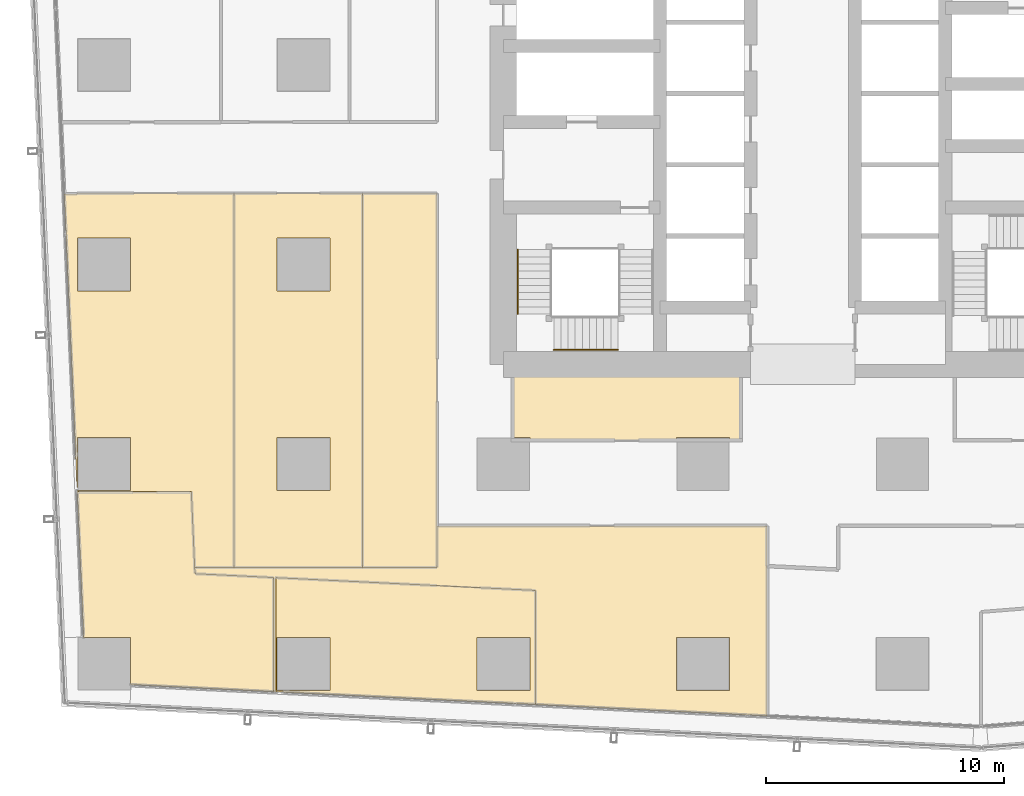
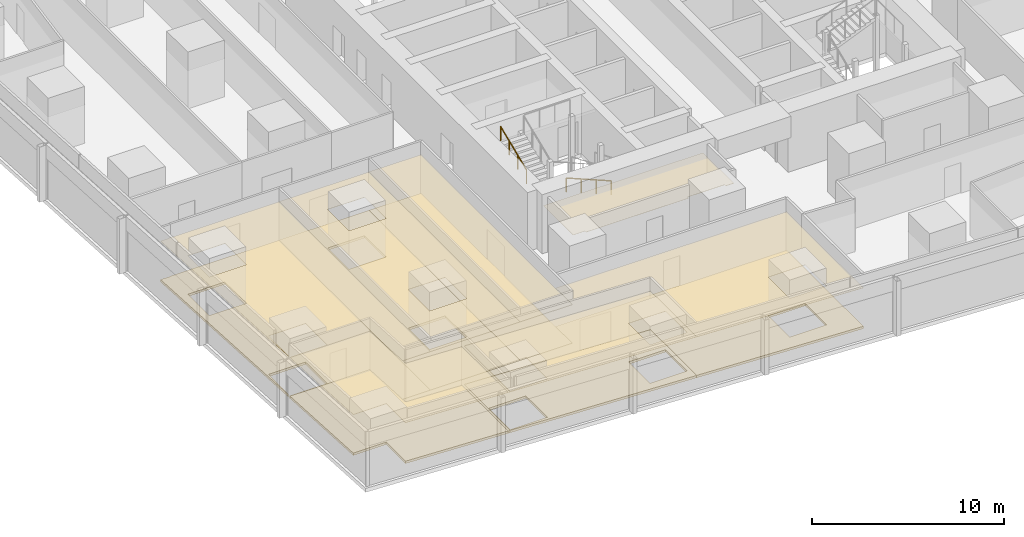
# One storey, part 36 of 44: 13 coverings, 2 railings.
"""IFC4 building model written with IfcOpenShell, lengths in metres."""

import ifcopenshell
import ifcopenshell.guid

model = None  # the IFC model being written
_history = None  # IfcOwnerHistory: only IFC2X3 demands one
_inside = {}  # id of a spatial element -> (the spatial element, [elements in it])
_under = {}  # id of a project, library or spatial element -> (it, [spatial elements below it])
_declared = {}  # id of a project -> (the project, [libraries it declares])
_typed = {}  # id of a type object -> (the type object, [elements of that type])
_made_of = {}  # id of a material, layer set ... -> (it, [elements and type objects made of it])


def new_model(schema):
    """Start an empty IFC model of exactly this schema.

    Asked for "IFC4X3", IfcOpenShell would pick the latest addendum, in which some entities
    have other attributes; the version numbers below select the first issue.
    IFC2X3 requires an IfcOwnerHistory on every rooted entity: one is made here for all.
    """
    global model, _history
    if schema == "IFC4X3":
        model = ifcopenshell.file(schema_version=(4, 3, 0, 0))
    else:
        model = ifcopenshell.file(schema=schema)
    _inside.clear()
    _under.clear()
    _declared.clear()
    _typed.clear()
    _made_of.clear()
    _history = None
    if model.schema == "IFC2X3":
        org = make("IfcOrganization", Name="unknown")
        user = make(
            "IfcPersonAndOrganization",
            ThePerson=make("IfcPerson", FamilyName="unknown"),
            TheOrganization=org,
        )
        app = make(
            "IfcApplication",
            ApplicationDeveloper=org,
            Version="unknown",
            ApplicationFullName="unknown",
            ApplicationIdentifier="unknown",
        )
        _history = make(
            "IfcOwnerHistory",
            OwningUser=user,
            OwningApplication=app,
            ChangeAction="ADDED",
            CreationDate=0,
        )
    return model


def make(cls, **values):
    """One entity of the class cls with the attributes given. An attribute that is None is left unset."""
    return model.create_entity(
        cls, **{name: value for name, value in values.items() if value is not None}
    )


def rooted(cls, **values):
    """An entity with a GlobalId (a new one), such as an element, a storey or a relation."""
    return make(cls, GlobalId=ifcopenshell.guid.new(), OwnerHistory=_history, **values)


def si_unit(unit_type, name, prefix=None):
    """IfcSIUnit, for example si_unit("LENGTHUNIT", "METRE", prefix="MILLI")."""
    return make("IfcSIUnit", UnitType=unit_type, Prefix=prefix, Name=name)


def assignment(units):
    """IfcUnitAssignment: the units of a project."""
    return None if units is None else make("IfcUnitAssignment", Units=units)


def point(xyz):
    """IfcCartesianPoint."""
    return None if xyz is None else make("IfcCartesianPoint", Coordinates=xyz)


def direction(xyz):
    """IfcDirection."""
    return None if xyz is None else make("IfcDirection", DirectionRatios=xyz)


def frame(location, z_axis=None, x_axis=None):
    """IfcAxis2Placement3D, a coordinate frame: its origin and axes. An axis left out is left unset."""
    return make(
        "IfcAxis2Placement3D",
        Location=point(location),
        Axis=direction(z_axis),
        RefDirection=direction(x_axis),
    )


def frame_2d(location, x_axis=None):
    """IfcAxis2Placement2D, a coordinate frame in the plane: its origin and x axis."""
    return make(
        "IfcAxis2Placement2D", Location=point(location), RefDirection=direction(x_axis)
    )


def origin():
    """The frame at (0, 0, 0) with its axes left unset."""
    return frame((0.0, 0.0, 0.0))


def origin_2d():
    """The frame at (0, 0) in the plane with its x axis left unset."""
    return frame_2d((0.0, 0.0))


def place(relative_to, where):
    """IfcLocalPlacement: puts the frame where relative to a parent placement (None: the world)."""
    return make(
        "IfcLocalPlacement", PlacementRelTo=relative_to, RelativePlacement=where
    )


def context(
    kind, dimensions, precision=None, world=None, true_north=None, identifier=None
):
    """IfcGeometricRepresentationContext, for example the 3D "Model" context."""
    return make(
        "IfcGeometricRepresentationContext",
        ContextIdentifier=identifier,
        ContextType=kind,
        CoordinateSpaceDimension=dimensions,
        Precision=precision,
        WorldCoordinateSystem=world,
        TrueNorth=true_north,
    )


def subcontext(parent, identifier, kind, view, scale=None):
    """IfcGeometricRepresentationSubContext, for example "Body" below "Model"."""
    return make(
        "IfcGeometricRepresentationSubContext",
        ContextIdentifier=identifier,
        ContextType=kind,
        ParentContext=parent,
        TargetScale=scale,
        TargetView=view,
    )


def project(units=None, contexts=None):
    """IfcProject with its units and contexts."""
    return rooted(
        "IfcProject",
        Name="project",
        RepresentationContexts=contexts,
        UnitsInContext=assignment(units),
    )


def spatial(cls, under=None, at=None, **own):
    """A site, building, storey or space (cls), placed at a placement, below another one or the project."""
    s = rooted(cls, ObjectPlacement=at, **own)
    if under is not None:
        _under.setdefault(under.id(), (under, []))[1].append(s)
    return s


def polyline(points):
    """IfcPolyline through the points."""
    return make("IfcPolyline", Points=[point(p) for p in points])


def profile(cls, at=None, kind="AREA", **sizes):
    """A parametric profile (cls). Its sizes go by their IFC names, for example OverallWidth=200.0."""
    return make(cls, ProfileType=kind, Position=at, **sizes)


def circle(**sizes):
    """IfcCircleProfileDef."""
    return profile("IfcCircleProfileDef", **sizes)


def outline(outer, holes=None, kind="AREA"):
    """IfcArbitraryClosedProfileDef: a profile drawn as a closed curve; with holes, ...WithVoids."""
    if holes is None:
        return make("IfcArbitraryClosedProfileDef", ProfileType=kind, OuterCurve=outer)
    return make(
        "IfcArbitraryProfileDefWithVoids",
        ProfileType=kind,
        OuterCurve=outer,
        InnerCurves=holes,
    )


def extrude(swept, where, along, depth):
    """IfcExtrudedAreaSolid: the profile swept, set in the frame where, extruded along a direction by depth."""
    return make(
        "IfcExtrudedAreaSolid",
        SweptArea=swept,
        Position=where,
        ExtrudedDirection=direction(along),
        Depth=depth,
    )


def shape(context_of_items, identifier, shape_type, items):
    """IfcShapeRepresentation: the items that make up one representation, for example the "Body"."""
    return make(
        "IfcShapeRepresentation",
        ContextOfItems=context_of_items,
        RepresentationIdentifier=identifier,
        RepresentationType=shape_type,
        Items=items,
    )


def material(Name=None, Category=None):
    """IfcMaterial."""
    return make("IfcMaterial", Name=Name, Category=Category)


def layer(
    of_material, thickness, ventilated=None, Name=None, Category=None, Priority=None
):
    """IfcMaterialLayer: one layer of a wall or slab, of a material (None: an air gap)."""
    return make(
        "IfcMaterialLayer",
        Material=of_material,
        LayerThickness=thickness,
        IsVentilated=ventilated,
        Name=Name,
        Category=Category,
        Priority=Priority,
    )


def layer_set(layers, Name=None):
    """IfcMaterialLayerSet."""
    return make("IfcMaterialLayerSet", MaterialLayers=layers, LayerSetName=Name)


def made_of(thing, what):
    """Note that an element or type object is made of a material, layer set ...; save() writes the relation."""
    if what is not None:
        _made_of.setdefault(what.id(), (what, []))[1].append(thing)
    return thing


def type_object(cls, material=None, **own):
    """A type object (cls), such as IfcWallType, which elements share."""
    return made_of(rooted(cls, **own), material)


def element(
    cls,
    number,
    at=None,
    inside=None,
    cuts=None,
    type_object=None,
    material=None,
    context=None,
    identifier="Body",
    shape_type=None,
    held_by="IfcProductDefinitionShape",
    body=None,
    shapes=None,
    **own,
):
    """One element of the class cls, such as IfcWall. Its Tag is "e" and its number.

    at: its placement. inside: the storey or other place that contains it. cuts: it is an
    opening in that element (IfcRelVoidsElement). A single representation is given by context,
    identifier, shape_type and body (its items); several are given by shapes. held_by: the class
    of the entity that holds the representations. save() writes the other relations.
    """
    e = rooted(cls, Tag="e%d" % number, ObjectPlacement=at, **own)
    if body is not None:
        shapes = [shape(context, identifier, shape_type, body)]
    if shapes is not None:
        e.Representation = make(held_by, Representations=shapes)
    if inside is not None:
        _inside.setdefault(inside.id(), (inside, []))[1].append(e)
    if cuts is not None:
        rooted(
            "IfcRelVoidsElement", RelatingBuildingElement=cuts, RelatedOpeningElement=e
        )
    if type_object is not None:
        _typed.setdefault(type_object.id(), (type_object, []))[1].append(e)
    return made_of(e, material)


def aggregate(whole, parts):
    """IfcRelAggregates: a whole, such as a stair, and the parts it consists of."""
    return rooted("IfcRelAggregates", RelatingObject=whole, RelatedObjects=parts)


def save(model, path):
    """Write the relations noted so far, then the file.

    IfcRelAggregates (storeys below a building ...), IfcRelContainedInSpatialStructure (elements
    in a storey), IfcRelDefinesByType, IfcRelAssociatesMaterial and IfcRelDeclares: one each for
    every whole, place, type object, material and project.
    """
    for whole, parts in _under.values():
        aggregate(whole, parts)
    for where, things in _inside.values():
        rooted(
            "IfcRelContainedInSpatialStructure",
            RelatedElements=things,
            RelatingStructure=where,
        )
    for kind, things in _typed.values():
        rooted("IfcRelDefinesByType", RelatedObjects=things, RelatingType=kind)
    for what, things in _made_of.values():
        rooted("IfcRelAssociatesMaterial", RelatedObjects=things, RelatingMaterial=what)
    for by, libraries in _declared.values():
        rooted("IfcRelDeclares", RelatingContext=by, RelatedDefinitions=libraries)
    model.write(path)


model = new_model("IFC4")

# Units and contexts
model_context = context("Model", 3, precision=1e-05, world=origin(), true_north=direction((0.0, 1.0)))
body_context = subcontext(model_context, "Body", "Model", "MODEL_VIEW")
ifc_project = project(units=[si_unit("LENGTHUNIT", "METRE"), si_unit("AREAUNIT", "SQUARE_METRE"), si_unit("VOLUMEUNIT", "CUBIC_METRE"), si_unit("PLANEANGLEUNIT", "RADIAN"), si_unit("MASSUNIT", "GRAM", prefix="KILO")], contexts=[model_context])

# Site, building, storey
site_placement = place(None, origin())
site = spatial("IfcSite", under=ifc_project, at=site_placement, CompositionType="ELEMENT")
building_placement = place(site_placement, origin())
building = spatial("IfcBuilding", under=site, at=building_placement, Name="Rekha Terrace Tower", CompositionType="ELEMENT")
storey_placement = place(building_placement, frame((0.0, 0.0, 47.89990234375)))
storey = spatial("IfcBuildingStorey", under=building, at=storey_placement, Name="L11", CompositionType="ELEMENT", Elevation=47.89990234375)

# Coverings
ifc_material_1 = material(Name="Mineral fibre tile in exposed grid", Category="finish")
ifc_layer_1 = layer(ifc_material_1, 0.02001953125)
ifc_layer_set_1 = layer_set([ifc_layer_1], Name="Mineral fibre tile in exposed grid")
covering_type_1 = type_object("IfcCoveringType", Name="CL1 600x1200 office grid ceiling", PredefinedType="CEILING", material=ifc_layer_set_1)
covering_1_placement = place(storey_placement, frame((0.0, 0.0, 2.580078125)))
element("IfcCovering", 1, at=covering_1_placement, inside=storey, type_object=covering_type_1, Name="Ceiling L11-20", PredefinedType="CEILING", context=body_context, shape_type="SweptSolid", body=[
    extrude(outline(polyline([(12.220947265625, 12.19091796875), (12.070068359375, 15.64306640625), (7.26611328125, 15.64306640625), (7.533935546875, 9.514892578125), (9.514892578125, 9.514892578125), (9.514892578125, 7.51806640625), (15.52392578125, 7.222900390625), (15.52392578125, 12.029052734375), (12.220947265625, 12.19091796875)])), origin(), (0.0, 0.0, 1.0), 0.02001953125),
])
covering_2_placement = place(storey_placement, frame((0.0, 0.0, 2.580078125)))
element("IfcCovering", 2, at=covering_2_placement, inside=storey, type_object=covering_type_1, Name="Ceiling L11-21", PredefinedType="CEILING", context=body_context, shape_type="SweptSolid", body=[
    extrude(outline(polyline([(26.547119140625, 6.680908203125), (26.547119140625, 11.487060546875), (15.64306640625, 12.02294921875), (15.64306640625, 7.217041015625), (26.547119140625, 6.680908203125)]), holes=[polyline([(26.31494140625, 9.514892578125), (26.31494140625, 7.284912109375), (24.0849609375, 7.284912109375), (24.0849609375, 9.514892578125), (26.31494140625, 9.514892578125)]), polyline([(17.9150390625, 7.284912109375), (15.68505859375, 7.284912109375), (15.68505859375, 9.514892578125), (17.9150390625, 9.514892578125), (17.9150390625, 7.284912109375)])]), origin(), (0.0, 0.0, 1.0), 0.02001953125),
])
covering_3_placement = place(storey_placement, frame((0.0, 0.0, 2.580078125)))
element("IfcCovering", 3, at=covering_3_placement, inside=storey, type_object=covering_type_1, Name="Ceiling L11-22", PredefinedType="CEILING", context=body_context, shape_type="SweptSolid", body=[
    extrude(outline(polyline([(7.258056640625, 15.820068359375), (7.284912109375, 15.820068359375), (7.284912109375, 17.9150390625), (9.514892578125, 17.9150390625), (9.514892578125, 15.68505859375), (7.263916015625, 15.68505859375), (7.26611328125, 15.64306640625), (12.070068359375, 15.64306640625), (12.2099609375, 12.4599609375), (13.865966796875, 12.4599609375), (13.865966796875, 28.199951171875), (7.26611328125, 28.199951171875), (7.26611328125, 28.175048828125), (6.718017578125, 28.175048828125), (7.258056640625, 15.820068359375)]), holes=[polyline([(9.514892578125, 24.0849609375), (7.284912109375, 24.0849609375), (7.284912109375, 26.31494140625), (9.514892578125, 26.31494140625), (9.514892578125, 24.0849609375)])]), origin(), (0.0, 0.0, 1.0), 0.02001953125),
])
covering_4_placement = place(storey_placement, frame((0.0, 0.0, 2.580078125)))
element("IfcCovering", 4, at=covering_4_placement, inside=storey, type_object=covering_type_1, Name="Ceiling L11-23", PredefinedType="CEILING", context=body_context, shape_type="SweptSolid", body=[
    extrude(outline(polyline([(13.865966796875, 12.4599609375), (19.26611328125, 12.4599609375), (19.26611328125, 28.199951171875), (13.865966796875, 28.199951171875), (13.865966796875, 12.4599609375)]), holes=[polyline([(17.9150390625, 15.68505859375), (15.68505859375, 15.68505859375), (15.68505859375, 17.9150390625), (17.9150390625, 17.9150390625), (17.9150390625, 15.68505859375)]), polyline([(17.9150390625, 24.0849609375), (15.68505859375, 24.0849609375), (15.68505859375, 26.31494140625), (17.9150390625, 26.31494140625), (17.9150390625, 24.0849609375)])]), origin(), (0.0, 0.0, 1.0), 0.02001953125),
])
covering_5_placement = place(storey_placement, frame((0.0, 0.0, 2.580078125)))
element("IfcCovering", 5, at=covering_5_placement, inside=storey, type_object=covering_type_1, Name="Ceiling L11-24", PredefinedType="CEILING", context=body_context, shape_type="SweptSolid", body=[
    extrude(outline(polyline([(19.26611328125, 12.4599609375), (22.39990234375, 12.4599609375), (22.39990234375, 28.199951171875), (19.26611328125, 28.199951171875), (19.26611328125, 12.4599609375)])), origin(), (0.0, 0.0, 1.0), 0.02001953125),
])
covering_6_placement = place(storey_placement, frame((0.0, 0.0, 2.580078125)))
element("IfcCovering", 6, at=covering_6_placement, inside=storey, type_object=covering_type_1, Name="Ceiling L11-O5", PredefinedType="CEILING", context=body_context, shape_type="SweptSolid", body=[
    extrude(outline(polyline([(22.39990234375, 12.4599609375), (12.2099609375, 12.4599609375), (12.220947265625, 12.19091796875), (15.52392578125, 12.029052734375), (15.52392578125, 7.222900390625), (15.64306640625, 7.217041015625), (15.64306640625, 12.02294921875), (26.547119140625, 11.487060546875), (26.547119140625, 6.680908203125), (36.299072265625, 6.202880859375), (36.299072265625, 14.199951171875), (22.39990234375, 14.199951171875), (22.39990234375, 12.4599609375)]), holes=[polyline([(34.715087890625, 7.284912109375), (32.485107421875, 7.284912109375), (32.485107421875, 9.514892578125), (34.715087890625, 9.514892578125), (34.715087890625, 7.284912109375)])]), origin(), (0.0, 0.0, 1.0), 0.02001953125),
])
ifc_material_2 = material(Name="Fibre cement board", Category="finish")
ifc_layer_2 = layer(ifc_material_2, 0.014892578125)
ifc_layer_set_2 = layer_set([ifc_layer_2], Name="Fibre cement board")
covering_type_2 = type_object("IfcCoveringType", Name="CL2 moisture-resistant board ceiling", PredefinedType="CEILING", material=ifc_layer_set_2)
covering_7_placement = place(storey_placement, frame((0.0, 0.0, 2.585205078125)))
element("IfcCovering", 7, at=covering_7_placement, inside=storey, type_object=covering_type_2, Name="Ceiling L11-WCM", PredefinedType="CEILING", context=body_context, shape_type="SweptSolid", body=[
    extrude(outline(polyline([(35.199951171875, 21.0), (25.60009765625, 21.0), (25.60009765625, 17.9150390625), (26.31494140625, 17.9150390625), (26.31494140625, 17.800048828125), (32.485107421875, 17.800048828125), (32.485107421875, 17.9150390625), (34.715087890625, 17.9150390625), (34.715087890625, 17.800048828125), (35.199951171875, 17.800048828125), (35.199951171875, 21.0)])), origin(), (0.0, 0.0, 1.0), 0.014892578125),
])

# Railings
ifc_material_3 = material(Name="Stainless steel tube", Category="steel")
railing_type = type_object("IfcRailingType", Name="HR1 900 stair handrail", PredefinedType="HANDRAIL", material=ifc_material_3)
railing_1_placement = place(storey_placement, frame((30.02490234375, 21.610107421875, 1.375)))
element("IfcRailing", 8, at=railing_1_placement, inside=storey, type_object=railing_type, Name="Handrail ST1 L11 flight 2", PredefinedType="HANDRAIL", context=body_context, shape_type="SweptSolid", body=[
    extrude(circle(Radius=0.02392578125, at=origin_2d()), frame((0.0, 0.0, 0.8759765625), z_axis=(-0.923074453586, 0.0, 0.384621311341), x_axis=(0.0, -1.0, 0.0)), (0.0, 0.0, 1.0), 2.925048828125),
    extrude(circle(Radius=0.02099609375, at=origin_2d()), origin(), (0.0, 0.0, 1.0), 0.851806640625),
    extrude(circle(Radius=0.02099609375, at=origin_2d()), frame((-0.89990234375, 0.0, 0.375)), (0.0, 0.0, 1.0), 0.851806640625),
    extrude(circle(Radius=0.02099609375, at=origin_2d()), frame((-1.800048828125, 0.0, 0.75)), (0.0, 0.0, 1.0), 0.851806640625),
    extrude(circle(Radius=0.02099609375, at=origin_2d()), frame((-2.699951171875, 0.0, 1.125)), (0.0, 0.0, 1.0), 0.851806640625),
])
railing_2_placement = place(storey_placement, frame((25.81005859375, 23.125, 2.625)))
element("IfcRailing", 9, at=railing_2_placement, inside=storey, type_object=railing_type, Name="Handrail ST1 L11 flight 3", PredefinedType="HANDRAIL", context=body_context, shape_type="SweptSolid", body=[
    extrude(circle(Radius=0.02392578125, at=origin_2d()), frame((0.0, 0.0, 0.8759765625), z_axis=(0.0, 0.923074453586, 0.384621311341), x_axis=(-1.0, 0.0, 0.0)), (0.0, 0.0, 1.0), 2.925048828125),
    extrude(circle(Radius=0.02099609375, at=origin_2d()), origin(), (0.0, 0.0, 1.0), 0.851806640625),
    extrude(circle(Radius=0.02099609375, at=origin_2d()), frame((0.0, 0.89990234375, 0.375)), (0.0, 0.0, 1.0), 0.851806640625),
    extrude(circle(Radius=0.02099609375, at=origin_2d()), frame((0.0, 1.800048828125, 0.75)), (0.0, 0.0, 1.0), 0.851806640625),
    extrude(circle(Radius=0.02099609375, at=origin_2d()), frame((0.0, 2.699951171875, 1.125)), (0.0, 0.0, 1.0), 0.851806640625),
])

# Coverings
ifc_material_4 = material(Name="Calcium sulphate panels on steel pedestals", Category="steel")
ifc_layer_3 = layer(ifc_material_4, 0.14990234375)
ifc_layer_set_3 = layer_set([ifc_layer_3], Name="Calcium sulphate panels on steel pedestals")
covering_type_3 = type_object("IfcCoveringType", Name="RF1 150 raised access floor", PredefinedType="FLOORING", material=ifc_layer_set_3)
covering_8_placement = place(storey_placement, origin())
element("IfcCovering", 10, at=covering_8_placement, inside=storey, type_object=covering_type_3, Name="Raised floor L11-20", PredefinedType="FLOORING", context=body_context, shape_type="SweptSolid", body=[
    extrude(outline(polyline([(12.220947265625, 12.19091796875), (12.070068359375, 15.64306640625), (7.26611328125, 15.64306640625), (7.533935546875, 9.514892578125), (9.514892578125, 9.514892578125), (9.514892578125, 7.51806640625), (15.52392578125, 7.222900390625), (15.52392578125, 12.029052734375), (12.220947265625, 12.19091796875)])), origin(), (0.0, 0.0, 1.0), 0.150146484375),
])
covering_9_placement = place(storey_placement, origin())
element("IfcCovering", 11, at=covering_9_placement, inside=storey, type_object=covering_type_3, Name="Raised floor L11-21", PredefinedType="FLOORING", context=body_context, shape_type="SweptSolid", body=[
    extrude(outline(polyline([(26.547119140625, 6.680908203125), (26.547119140625, 11.487060546875), (15.64306640625, 12.02294921875), (15.64306640625, 7.217041015625), (26.547119140625, 6.680908203125)]), holes=[polyline([(26.31494140625, 9.514892578125), (26.31494140625, 7.284912109375), (24.0849609375, 7.284912109375), (24.0849609375, 9.514892578125), (26.31494140625, 9.514892578125)]), polyline([(17.9150390625, 7.284912109375), (15.68505859375, 7.284912109375), (15.68505859375, 9.514892578125), (17.9150390625, 9.514892578125), (17.9150390625, 7.284912109375)])]), origin(), (0.0, 0.0, 1.0), 0.150146484375),
])
covering_10_placement = place(storey_placement, origin())
element("IfcCovering", 12, at=covering_10_placement, inside=storey, type_object=covering_type_3, Name="Raised floor L11-22", PredefinedType="FLOORING", context=body_context, shape_type="SweptSolid", body=[
    extrude(outline(polyline([(7.258056640625, 15.820068359375), (7.284912109375, 15.820068359375), (7.284912109375, 17.9150390625), (9.514892578125, 17.9150390625), (9.514892578125, 15.68505859375), (7.263916015625, 15.68505859375), (7.26611328125, 15.64306640625), (12.070068359375, 15.64306640625), (12.2099609375, 12.4599609375), (13.865966796875, 12.4599609375), (13.865966796875, 28.199951171875), (7.26611328125, 28.199951171875), (7.26611328125, 28.175048828125), (6.718017578125, 28.175048828125), (7.258056640625, 15.820068359375)]), holes=[polyline([(9.514892578125, 24.0849609375), (7.284912109375, 24.0849609375), (7.284912109375, 26.31494140625), (9.514892578125, 26.31494140625), (9.514892578125, 24.0849609375)])]), origin(), (0.0, 0.0, 1.0), 0.150146484375),
])
covering_11_placement = place(storey_placement, origin())
element("IfcCovering", 13, at=covering_11_placement, inside=storey, type_object=covering_type_3, Name="Raised floor L11-23", PredefinedType="FLOORING", context=body_context, shape_type="SweptSolid", body=[
    extrude(outline(polyline([(13.865966796875, 12.4599609375), (19.26611328125, 12.4599609375), (19.26611328125, 28.199951171875), (13.865966796875, 28.199951171875), (13.865966796875, 12.4599609375)]), holes=[polyline([(17.9150390625, 15.68505859375), (15.68505859375, 15.68505859375), (15.68505859375, 17.9150390625), (17.9150390625, 17.9150390625), (17.9150390625, 15.68505859375)]), polyline([(17.9150390625, 24.0849609375), (15.68505859375, 24.0849609375), (15.68505859375, 26.31494140625), (17.9150390625, 26.31494140625), (17.9150390625, 24.0849609375)])]), origin(), (0.0, 0.0, 1.0), 0.150146484375),
])
covering_12_placement = place(storey_placement, origin())
element("IfcCovering", 14, at=covering_12_placement, inside=storey, type_object=covering_type_3, Name="Raised floor L11-24", PredefinedType="FLOORING", context=body_context, shape_type="SweptSolid", body=[
    extrude(outline(polyline([(19.26611328125, 12.4599609375), (22.39990234375, 12.4599609375), (22.39990234375, 28.199951171875), (19.26611328125, 28.199951171875), (19.26611328125, 12.4599609375)])), origin(), (0.0, 0.0, 1.0), 0.150146484375),
])
covering_13_placement = place(storey_placement, origin())
element("IfcCovering", 15, at=covering_13_placement, inside=storey, type_object=covering_type_3, Name="Raised floor L11-O5", PredefinedType="FLOORING", context=body_context, shape_type="SweptSolid", body=[
    extrude(outline(polyline([(22.39990234375, 12.4599609375), (12.2099609375, 12.4599609375), (12.220947265625, 12.19091796875), (15.52392578125, 12.029052734375), (15.52392578125, 7.222900390625), (15.64306640625, 7.217041015625), (15.64306640625, 12.02294921875), (26.547119140625, 11.487060546875), (26.547119140625, 6.680908203125), (36.299072265625, 6.202880859375), (36.299072265625, 14.199951171875), (22.39990234375, 14.199951171875), (22.39990234375, 12.4599609375)]), holes=[polyline([(34.715087890625, 7.284912109375), (32.485107421875, 7.284912109375), (32.485107421875, 9.514892578125), (34.715087890625, 9.514892578125), (34.715087890625, 7.284912109375)])]), origin(), (0.0, 0.0, 1.0), 0.150146484375),
])

save(model, "model.ifc")
